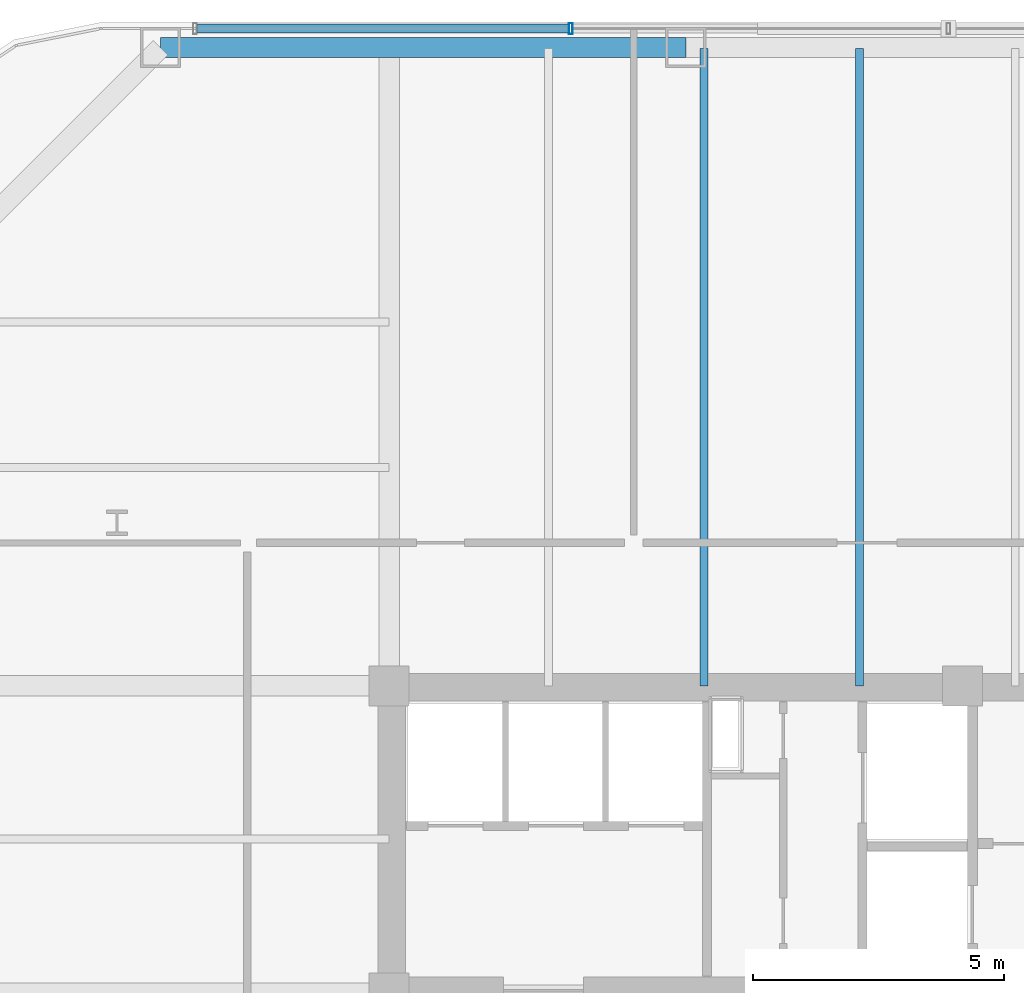
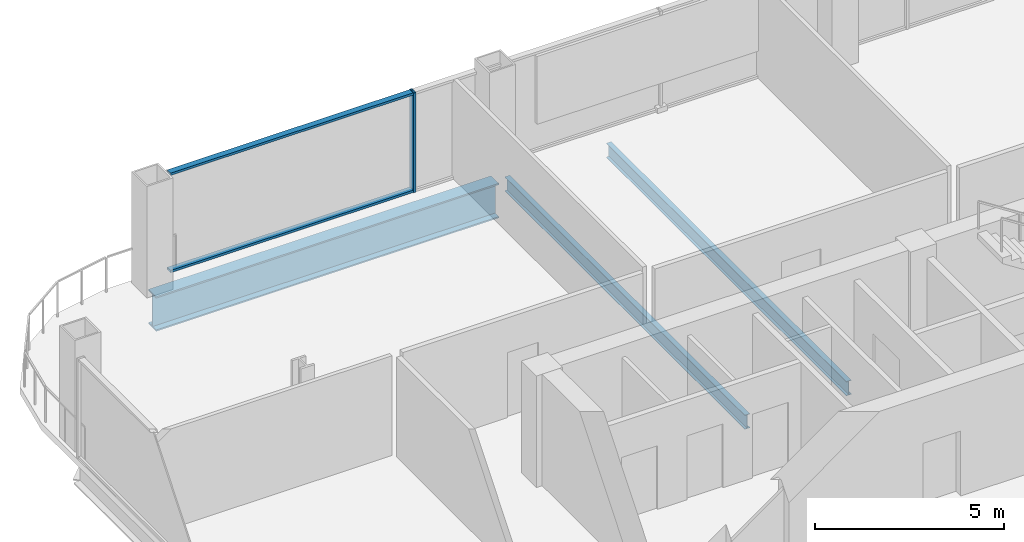
# One storey, part 15 of 24: 3 beams, 3 members, 1 element without a shape of its own.
"""IFC4 building model written with IfcOpenShell, lengths in metres."""

from ifc_helpers import new_model, si_unit, direction, frame, origin, origin_2d, place, context, subcontext, project, spatial, hollow_rectangle, i_section, extrude, material, layer, layer_set, material_profile, profile_set, type_object, element, aggregate, save


model = new_model("IFC4")

# Units and contexts
model_context = context("Model", 3, precision=1e-05, world=origin(), true_north=direction((0.0, 1.0)))
body_context = subcontext(model_context, "Body", "Model", "MODEL_VIEW")
ifc_project = project(units=[si_unit("LENGTHUNIT", "METRE"), si_unit("AREAUNIT", "SQUARE_METRE"), si_unit("VOLUMEUNIT", "CUBIC_METRE"), si_unit("PLANEANGLEUNIT", "RADIAN"), si_unit("MASSUNIT", "GRAM", prefix="KILO")], contexts=[model_context])

# Site, building, storey
site_placement = place(None, origin())
site = spatial("IfcSite", under=ifc_project, at=site_placement, CompositionType="ELEMENT")
building_placement = place(site_placement, origin())
building = spatial("IfcBuilding", under=site, at=building_placement, Name="Qhalaya Broadcast Tower", CompositionType="ELEMENT")
storey_placement = place(building_placement, frame((0.0, 0.0, 61.5)))
storey = spatial("IfcBuildingStorey", under=building, at=storey_placement, Name="L17", CompositionType="ELEMENT", Elevation=61.5)

# Beams
ifc_material_1 = material(Name="Structural Steel ASTM A992 Grade 50", Category="steel")
ifc_material_profile_1 = material_profile(ifc_material_1, i_section(OverallWidth=0.154052734375, OverallDepth=0.458984375, WebThickness=0.009033203125, FlangeThickness=0.015380859375, at=origin_2d()), Name="W18X46")
ifc_profile_set_1 = profile_set([ifc_material_profile_1], Name="Structural Steel ASTM A992 Grade 50")
beam_type_1 = type_object("IfcBeamType", Name="Composite Floor Joist J04", PredefinedType="JOIST", material=ifc_profile_set_1)
for number, where, z_axis, x_axis, name in (
    (1, (-3.10009765625, 9.949951171875, -0.449462890625), (0.0, 1.0, 0.0), (-1.0, 0.0, 0.0), "L17 J04 L17-JNN2-1"),
    (2, (0.0, 9.949951171875, -0.449462890625), (0.0, 1.0, 0.0), (-1.0, 0.0, 0.0), "L17 J04 L17-JNN3-1"),
):
    element("IfcBeam", number, at=place(storey_placement, frame(where, z_axis=z_axis, x_axis=x_axis)), inside=storey, type_object=beam_type_1, Name=name, PredefinedType="JOIST", context=body_context, shape_type="SweptSolid", body=[
        extrude(i_section(OverallWidth=0.154052734375, OverallDepth=0.458984375, WebThickness=0.009033203125, FlangeThickness=0.015380859375, at=origin_2d()), origin(), (0.0, 0.0, 1.0), 12.699951171875),
    ])
ifc_material_profile_2 = material_profile(ifc_material_1, i_section(OverallWidth=0.404052734375, OverallDepth=1.117919921875, WebThickness=0.026123046875, FlangeThickness=0.044921875, at=origin_2d()), Name="W44X335")
ifc_profile_set_2 = profile_set([ifc_material_profile_2], Name="Structural Steel ASTM A992 Grade 50")
beam_type_2 = type_object("IfcBeamType", Name="Podium Long-Span Primary Girder PG1", PredefinedType="USERDEFINED", material=ifc_profile_set_2)
beam_placement = place(storey_placement, frame((-3.46337890625, 22.669921875, -0.779052734375), z_axis=(-1.0, 0.0, 0.0), x_axis=(0.0, -1.0, 0.0)))
element("IfcBeam", 3, at=beam_placement, inside=storey, type_object=beam_type_2, Name="L17 PG1 L17-SPR-11", ObjectType="GIRDER", PredefinedType="USERDEFINED", context=body_context, shape_type="SweptSolid", body=[
    extrude(i_section(OverallWidth=0.404052734375, OverallDepth=1.117919921875, WebThickness=0.026123046875, FlangeThickness=0.044921875, at=origin_2d()), origin(), (0.0, 0.0, 1.0), 10.466552734375),
])

# Curtain wall, members
ifc_material_2 = material(Name="Solar-Control Low-E Triple Glazing", Category="glass")
ifc_layer = layer(ifc_material_2, 0.219970703125, Name="Solar-Control Low-E Triple Glazing")
ifc_layer_set = layer_set([ifc_layer], Name="Solar-Control Low-E Triple Glazing")
curtain_wall_type = type_object("IfcCurtainWallType", Name="Recessed Sky-Garden Neck Ribbon Curtain Wall CW-05", PredefinedType="NOTDEFINED", material=ifc_layer_set)
curtain_wall_placement = place(storey_placement, origin())
curtain_wall = element("IfcCurtainWall", 4, at=curtain_wall_placement, inside=storey, type_object=curtain_wall_type, Name="L17 Unitised Curtain Wall L17-CW-N", PredefinedType="NOTDEFINED")
ifc_material_3 = material(Name="Anodised Aluminium 6063-T6", Category="aluminium")
ifc_material_profile_3 = material_profile(ifc_material_3, hollow_rectangle(XDim=0.074951171875, YDim=0.219970703125, WallThickness=0.00390625, at=origin_2d()), Name="ALU-MUL 75x220x4")
ifc_profile_set_3 = profile_set([ifc_material_profile_3], Name="Anodised Aluminium 6063-T6")
member_type_1 = type_object("IfcMemberType", Name="Unitised Curtain-Wall Mullion M01", PredefinedType="MULLION", material=ifc_profile_set_3)
member_1_placement = place(storey_placement, frame((-5.7548828125, 23.050048828125, 0.0), z_axis=(0.0, 0.0, 1.0), x_axis=(-1.0, 0.0, 0.0)))
member_1 = element("IfcMember", 5, at=member_1_placement, type_object=member_type_1, Name="CW-05 mullion 4", PredefinedType="MULLION", context=body_context, shape_type="SweptSolid", body=[
    extrude(hollow_rectangle(XDim=0.074951171875, YDim=0.219970703125, WallThickness=0.00390625, at=origin_2d()), origin(), (0.0, 0.0, 1.0), 3.219970703125),
])
ifc_material_profile_4 = material_profile(ifc_material_3, hollow_rectangle(XDim=0.074951171875, YDim=0.179931640625, WallThickness=0.00390625, at=origin_2d()), Name="ALU-TRN 75x180x4")
ifc_profile_set_4 = profile_set([ifc_material_profile_4], Name="Anodised Aluminium 6063-T6")
member_type_2 = type_object("IfcMemberType", Name="Unitised Curtain-Wall Transom T01", PredefinedType="USERDEFINED", material=ifc_profile_set_4)
member_2_placement = place(storey_placement, frame((-5.79248046875, 23.050048828125, 0.03759765625), z_axis=(-1.0, 0.0, 0.0), x_axis=(0.0, 0.0, 1.0)))
member_2 = element("IfcMember", 6, at=member_2_placement, type_object=member_type_2, Name="CW-05 transom 4.1", ObjectType="TRANSOM", PredefinedType="USERDEFINED", context=body_context, shape_type="SweptSolid", body=[
    extrude(hollow_rectangle(XDim=0.074951171875, YDim=0.179931640625, WallThickness=0.00390625, at=origin_2d()), origin(), (0.0, 0.0, 1.0), 7.41259765625),
])
member_3_placement = place(storey_placement, frame((-5.79248046875, 23.050048828125, 3.1826171875), z_axis=(-1.0, 0.0, 0.0), x_axis=(0.0, 0.0, 1.0)))
member_3 = element("IfcMember", 7, at=member_3_placement, type_object=member_type_2, Name="CW-05 transom 4.2", ObjectType="TRANSOM", PredefinedType="USERDEFINED", context=body_context, shape_type="SweptSolid", body=[
    extrude(hollow_rectangle(XDim=0.074951171875, YDim=0.179931640625, WallThickness=0.00390625, at=origin_2d()), origin(), (0.0, 0.0, 1.0), 7.41259765625),
])
aggregate(curtain_wall, [member_1, member_2, member_3])

save(model, "model.ifc")
